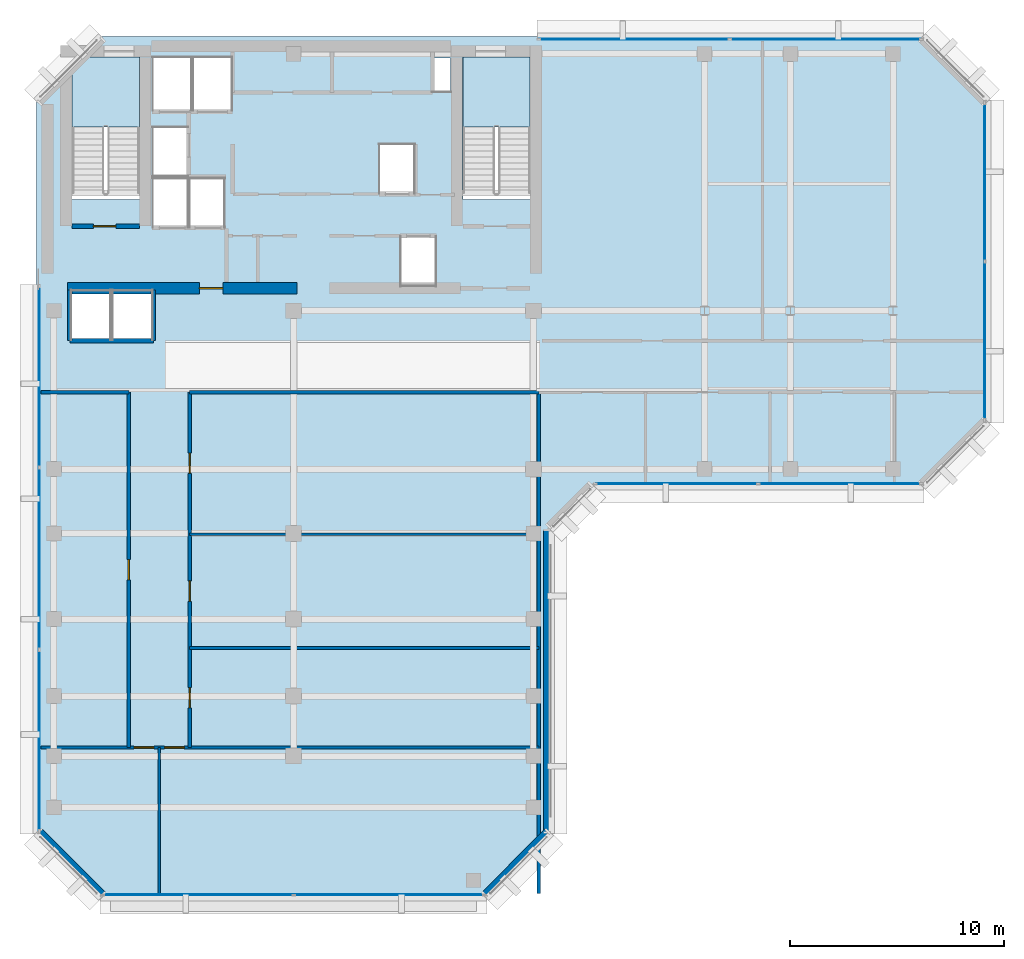
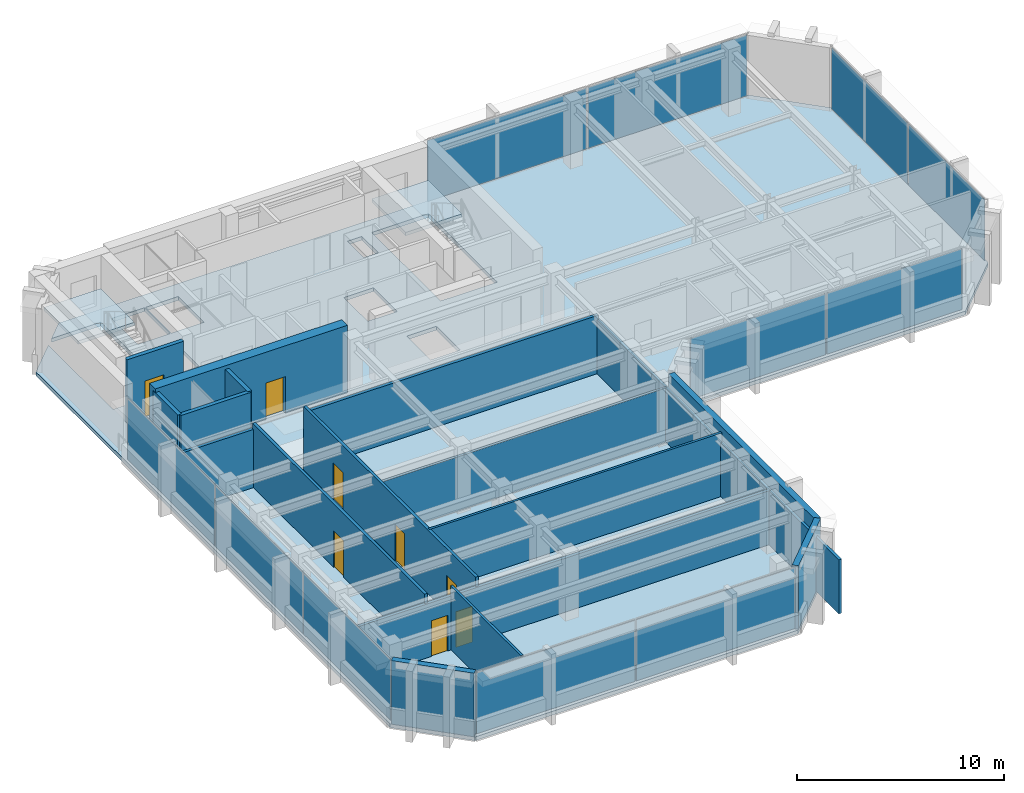
# One storey, part 6 of 11: 17 walls, 11 plates, 8 doors, 3 slabs, 8 openings, 7 elements without a shape of their own.
"""IFC4 building model written with IfcOpenShell, lengths in metres."""

from ifc_helpers import new_model, si_unit, direction, frame, frame_2d, origin, origin_2d, place, context, subcontext, project, spatial, polyline, rectangle, outline, extrude, material, layer, layer_set, type_object, element, fill, aggregate, save


model = new_model("IFC4")

# Units and contexts
model_context = context("Model", 3, precision=1e-05, world=origin(), true_north=direction((0.0, 1.0)))
body_context = subcontext(model_context, "Body", "Model", "MODEL_VIEW")
ifc_project = project(units=[si_unit("LENGTHUNIT", "METRE"), si_unit("AREAUNIT", "SQUARE_METRE"), si_unit("VOLUMEUNIT", "CUBIC_METRE"), si_unit("PLANEANGLEUNIT", "RADIAN"), si_unit("MASSUNIT", "GRAM", prefix="KILO")], contexts=[model_context])

# Site, building, storey
site_placement = place(None, origin())
site = spatial("IfcSite", under=ifc_project, at=site_placement, CompositionType="ELEMENT")
building_placement = place(site_placement, origin())
building = spatial("IfcBuilding", under=site, at=building_placement, Name="Kefirva Bronze Tower", CompositionType="ELEMENT")
storey_placement = place(building_placement, frame((0.0, 0.0, 284.1298828125)))
storey = spatial("IfcBuildingStorey", under=building, at=storey_placement, Name="L69", CompositionType="ELEMENT", Elevation=284.1298828125)

# Stair, slab
ifc_material_1 = material(Name="Concrete C40/50", Category="concrete")
stair_type = type_object("IfcStairType", Name="RC Dogleg Protected Stair 24R", PredefinedType="HALF_TURN_STAIR", material=ifc_material_1)
stair_1_placement = place(storey_placement, origin())
stair_1 = element("IfcStair", 1, at=stair_1_placement, inside=storey, type_object=stair_type, Name="L69 Protected Exit Stair 1", PredefinedType="HALF_TURN_STAIR")
ifc_layer_1 = layer(ifc_material_1, 0.199951171875, Name="Concrete C40/50")
ifc_layer_set_1 = layer_set([ifc_layer_1], Name="Concrete C40/50")
slab_type_1 = type_object("IfcSlabType", Name="RC Stair Landing Slab 200mm", PredefinedType="LANDING", material=ifc_layer_set_1)
slab_1_placement = place(storey_placement, frame((0.0, 0.0, 1.780029296875)))
slab_1 = element("IfcSlab", 2, at=slab_1_placement, type_object=slab_type_1, Name="ST-1 landing 1", PredefinedType="LANDING", context=body_context, shape_type="SweptSolid", body=[
    extrude(outline(polyline([(4.800048828125, 41.780029296875), (4.800048828125, 45.050048828125), (1.64990234375, 45.050048828125), (1.64990234375, 41.780029296875), (4.800048828125, 41.780029296875)])), origin(), (0.0, 0.0, 1.0), 0.2001953125),
])
aggregate(stair_1, [slab_1])

stair_2_placement = place(storey_placement, origin())
stair_2 = element("IfcStair", 3, at=stair_2_placement, inside=storey, type_object=stair_type, Name="L69 Protected Exit Stair 2", PredefinedType="HALF_TURN_STAIR")
slab_2_placement = place(storey_placement, frame((0.0, 0.0, 1.780029296875)))
slab_2 = element("IfcSlab", 4, at=slab_2_placement, type_object=slab_type_1, Name="ST-2 landing 1", PredefinedType="LANDING", context=body_context, shape_type="SweptSolid", body=[
    extrude(outline(polyline([(23.050048828125, 41.780029296875), (23.050048828125, 45.050048828125), (19.89990234375, 45.050048828125), (19.89990234375, 41.780029296875), (23.050048828125, 41.780029296875)])), origin(), (0.0, 0.0, 1.0), 0.2001953125),
])
aggregate(stair_2, [slab_2])

# Slab
ifc_layer_2 = layer(ifc_material_1, 0.219970703125, Name="Concrete C40/50")
ifc_layer_set_2 = layer_set([ifc_layer_2], Name="Concrete C40/50")
slab_type_2 = type_object("IfcSlabType", Name="RC Upper Floor Slab 220mm", PredefinedType="FLOOR", material=ifc_layer_set_2)
slab_3_placement = place(storey_placement, frame((0.0, 0.0, -0.219970703125)))
element("IfcSlab", 5, at=slab_3_placement, inside=storey, type_object=slab_type_2, Name="L69 Structural Floor Slab", PredefinedType="FLOOR", context=body_context, shape_type="SweptSolid", body=[
    extrude(outline(polyline([(0.0, 8.800048828125), (0.0, 43.0), (1.64990234375, 44.64990234375), (1.64990234375, 38.39990234375), (4.800048828125, 38.39990234375), (4.800048828125, 45.050048828125), (2.050048828125, 45.050048828125), (3.0, 46.0), (41.39990234375, 46.0), (44.39990234375, 43.0), (44.39990234375, 28.0), (41.39990234375, 25.0), (26.0, 25.0), (24.0, 23.0), (24.0, 8.800048828125), (21.0, 5.800048828125), (3.0, 5.800048828125), (0.0, 8.800048828125)]), holes=[polyline([(23.050048828125, 45.050048828125), (19.89990234375, 45.050048828125), (19.89990234375, 38.39990234375), (23.050048828125, 38.39990234375), (23.050048828125, 45.050048828125)]), polyline([(19.320068359375, 43.419921875), (19.320068359375, 45.0), (18.52001953125, 45.0), (18.52001953125, 43.419921875), (19.320068359375, 43.419921875)]), polyline([(18.64990234375, 36.64990234375), (17.0, 36.64990234375), (17.0, 34.35009765625), (18.64990234375, 34.35009765625), (18.64990234375, 36.64990234375)]), polyline([(17.64990234375, 38.679931640625), (17.64990234375, 40.97998046875), (16.0, 40.97998046875), (16.0, 38.679931640625), (17.64990234375, 38.679931640625)]), polyline([(9.1201171875, 42.550048828125), (9.1201171875, 45.050048828125), (7.300048828125, 45.050048828125), (7.300048828125, 42.550048828125), (9.1201171875, 42.550048828125)]), polyline([(8.780029296875, 37.10009765625), (8.780029296875, 39.39990234375), (7.139892578125, 39.39990234375), (7.139892578125, 37.10009765625), (8.780029296875, 37.10009765625)]), polyline([(7.239990234375, 42.550048828125), (7.239990234375, 45.050048828125), (5.419921875, 45.050048828125), (5.419921875, 42.550048828125), (7.239990234375, 42.550048828125)]), polyline([(7.06005859375, 37.10009765625), (7.06005859375, 39.39990234375), (5.419921875, 39.39990234375), (5.419921875, 37.10009765625), (7.06005859375, 37.10009765625)]), polyline([(7.06005859375, 41.780029296875), (5.419921875, 41.780029296875), (5.419921875, 39.47998046875), (7.06005859375, 39.47998046875), (7.06005859375, 41.780029296875)]), polyline([(5.39990234375, 31.85009765625), (5.39990234375, 34.14990234375), (3.550048828125, 34.14990234375), (3.550048828125, 31.85009765625), (5.39990234375, 31.85009765625)]), polyline([(3.449951171875, 34.14990234375), (1.60009765625, 34.14990234375), (1.60009765625, 31.85009765625), (3.449951171875, 31.85009765625), (3.449951171875, 34.14990234375)])]), origin(), (0.0, 0.0, 1.0), 0.219970703125),
])

# Curtain wall, plates
ifc_material_2 = material(Name="Bronze anodised aluminium", Category="aluminium")
ifc_layer_3 = layer(ifc_material_2, 0.179931640625, Name="Bronze anodised aluminium")
ifc_layer_set_3 = layer_set([ifc_layer_3], Name="Bronze anodised aluminium")
curtain_wall_type = type_object("IfcCurtainWallType", Name="Unitised Bronze Ribbon Curtain Wall Zone 4", PredefinedType="USERDEFINED", material=ifc_layer_set_3)
curtain_wall_1_placement = place(storey_placement, origin())
curtain_wall_1 = element("IfcCurtainWall", 6, at=curtain_wall_1_placement, inside=storey, type_object=curtain_wall_type, Name="L69 Curtain Wall 1", ObjectType="UNITISED CURTAIN WALL", PredefinedType="USERDEFINED")
ifc_material_3 = material(Name="Laminated low-E double glazing", Category="glass")
ifc_layer_4 = layer(ifc_material_3, 0.031982421875, Name="Laminated low-E double glazing")
ifc_layer_set_4 = layer_set([ifc_layer_4], Name="Laminated low-E double glazing")
plate_type = type_object("IfcPlateType", Name="Solar-Control Low-E Vision Panel 32mm", PredefinedType="CURTAIN_PANEL", material=ifc_layer_set_4)
plate_1_placement = place(storey_placement, frame((7.546142578125, 5.919921875, 0.0751953125), z_axis=(0.0, 0.0, 1.0), x_axis=(1.0, 0.0, 0.0)))
plate_1 = element("IfcPlate", 7, at=plate_1_placement, type_object=plate_type, Name="CW-04 panel 1.1", PredefinedType="CURTAIN_PANEL", context=body_context, shape_type="SweptSolid", body=[
    extrude(rectangle(XDim=8.83251953125, YDim=0.031982421875, at=origin_2d()), origin(), (0.0, 0.0, 1.0), 3.590087890625),
])
plate_2_placement = place(storey_placement, frame((16.453857421875, 5.919921875, 0.0751953125), z_axis=(0.0, 0.0, 1.0), x_axis=(1.0, 0.0, 0.0)))
plate_2 = element("IfcPlate", 8, at=plate_2_placement, type_object=plate_type, Name="CW-04 panel 2.1", PredefinedType="CURTAIN_PANEL", context=body_context, shape_type="SweptSolid", body=[
    extrude(rectangle(XDim=8.83251953125, YDim=0.031982421875, at=origin_2d()), origin(), (0.0, 0.0, 1.0), 3.590087890625),
])
aggregate(curtain_wall_1, [plate_1, plate_2])

curtain_wall_2_placement = place(storey_placement, origin())
curtain_wall_2 = element("IfcCurtainWall", 9, at=curtain_wall_2_placement, inside=storey, type_object=curtain_wall_type, Name="L69 Curtain Wall 2", ObjectType="UNITISED CURTAIN WALL", PredefinedType="USERDEFINED")
plate_3_placement = place(storey_placement, frame((29.896240234375, 25.1201171875, 0.0751953125), z_axis=(0.0, 0.0, 1.0), x_axis=(1.0, 0.0, 0.0)))
plate_3 = element("IfcPlate", 10, at=plate_3_placement, type_object=plate_type, Name="CW-04 panel 1.1", PredefinedType="CURTAIN_PANEL", context=body_context, shape_type="SweptSolid", body=[
    extrude(rectangle(XDim=7.532470703125, YDim=0.031982421875, at=origin_2d()), origin(), (0.0, 0.0, 1.0), 3.590087890625),
])
plate_4_placement = place(storey_placement, frame((37.503662109375, 25.1201171875, 0.0751953125), z_axis=(0.0, 0.0, 1.0), x_axis=(1.0, 0.0, 0.0)))
plate_4 = element("IfcPlate", 11, at=plate_4_placement, type_object=plate_type, Name="CW-04 panel 2.1", PredefinedType="CURTAIN_PANEL", context=body_context, shape_type="SweptSolid", body=[
    extrude(rectangle(XDim=7.532470703125, YDim=0.031982421875, at=origin_2d()), origin(), (0.0, 0.0, 1.0), 3.590087890625),
])
aggregate(curtain_wall_2, [plate_3, plate_4])

curtain_wall_3_placement = place(storey_placement, origin())
curtain_wall_3 = element("IfcCurtainWall", 12, at=curtain_wall_3_placement, inside=storey, type_object=curtain_wall_type, Name="L69 Curtain Wall 3", ObjectType="UNITISED CURTAIN WALL", PredefinedType="USERDEFINED")
plate_5_placement = place(storey_placement, frame((44.280029296875, 31.796142578125, 0.0751953125), z_axis=(0.0, 0.0, 1.0), x_axis=(0.0, 1.0, 0.0)))
plate_5 = element("IfcPlate", 13, at=plate_5_placement, type_object=plate_type, Name="CW-04 panel 1.1", PredefinedType="CURTAIN_PANEL", context=body_context, shape_type="SweptSolid", body=[
    extrude(rectangle(XDim=7.33251953125, YDim=0.031982421875, at=origin_2d()), origin(), (0.0, 0.0, 1.0), 3.590087890625),
])
plate_6_placement = place(storey_placement, frame((44.280029296875, 39.203857421875, 0.0751953125), z_axis=(0.0, 0.0, 1.0), x_axis=(0.0, 1.0, 0.0)))
plate_6 = element("IfcPlate", 14, at=plate_6_placement, type_object=plate_type, Name="CW-04 panel 2.1", PredefinedType="CURTAIN_PANEL", context=body_context, shape_type="SweptSolid", body=[
    extrude(rectangle(XDim=7.33251953125, YDim=0.031982421875, at=origin_2d()), origin(), (0.0, 0.0, 1.0), 3.590087890625),
])
aggregate(curtain_wall_3, [plate_5, plate_6])

curtain_wall_4_placement = place(storey_placement, origin())
curtain_wall_4 = element("IfcCurtainWall", 15, at=curtain_wall_4_placement, inside=storey, type_object=curtain_wall_type, Name="L69 Curtain Wall 4", ObjectType="UNITISED CURTAIN WALL", PredefinedType="USERDEFINED")
plate_7_placement = place(storey_placement, frame((36.84130859375, 45.8798828125, 0.0751953125), z_axis=(0.0, 0.0, 1.0), x_axis=(-1.0, 0.0, 0.0)))
plate_7 = element("IfcPlate", 16, at=plate_7_placement, type_object=plate_type, Name="CW-04 panel 1.1", PredefinedType="CURTAIN_PANEL", context=body_context, shape_type="SweptSolid", body=[
    extrude(rectangle(XDim=8.857421875, YDim=0.031982421875, at=origin_2d()), origin(), (0.0, 0.0, 1.0), 3.590087890625),
])
plate_8_placement = place(storey_placement, frame((27.90869140625, 45.8798828125, 0.0751953125), z_axis=(0.0, 0.0, 1.0), x_axis=(-1.0, 0.0, 0.0)))
plate_8 = element("IfcPlate", 17, at=plate_8_placement, type_object=plate_type, Name="CW-04 panel 2.1", PredefinedType="CURTAIN_PANEL", context=body_context, shape_type="SweptSolid", body=[
    extrude(rectangle(XDim=8.857421875, YDim=0.031982421875, at=origin_2d()), origin(), (0.0, 0.0, 1.0), 3.590087890625),
])
aggregate(curtain_wall_4, [plate_7, plate_8])

curtain_wall_5_placement = place(storey_placement, origin())
curtain_wall_5 = element("IfcCurtainWall", 18, at=curtain_wall_5_placement, inside=storey, type_object=curtain_wall_type, Name="L69 Curtain Wall 5", ObjectType="UNITISED CURTAIN WALL", PredefinedType="USERDEFINED")
plate_9_placement = place(storey_placement, frame((0.1201171875, 30.11962890625, 0.0751953125), z_axis=(0.0, 0.0, 1.0), x_axis=(0.0, -1.0, 0.0)))
plate_9 = element("IfcPlate", 19, at=plate_9_placement, type_object=plate_type, Name="CW-04 panel 1.1", PredefinedType="CURTAIN_PANEL", context=body_context, shape_type="SweptSolid", body=[
    extrude(rectangle(XDim=8.40087890625, YDim=0.031982421875, at=origin_2d()), origin(), (0.0, 0.0, 1.0), 3.590087890625),
])
plate_10_placement = place(storey_placement, frame((0.1201171875, 21.625, 0.0751953125), z_axis=(0.0, 0.0, 1.0), x_axis=(0.0, -1.0, 0.0)))
plate_10 = element("IfcPlate", 20, at=plate_10_placement, type_object=plate_type, Name="CW-04 panel 2.1", PredefinedType="CURTAIN_PANEL", context=body_context, shape_type="SweptSolid", body=[
    extrude(rectangle(XDim=8.438232421875, YDim=0.031982421875, at=origin_2d()), origin(), (0.0, 0.0, 1.0), 3.590087890625),
])
plate_11_placement = place(storey_placement, frame((0.1201171875, 13.13037109375, 0.0751953125), z_axis=(0.0, 0.0, 1.0), x_axis=(0.0, -1.0, 0.0)))
plate_11 = element("IfcPlate", 21, at=plate_11_placement, type_object=plate_type, Name="CW-04 panel 3.1", PredefinedType="CURTAIN_PANEL", context=body_context, shape_type="SweptSolid", body=[
    extrude(rectangle(XDim=8.40087890625, YDim=0.031982421875, at=origin_2d()), origin(), (0.0, 0.0, 1.0), 3.590087890625),
])
aggregate(curtain_wall_5, [plate_9, plate_10, plate_11])

# Walls
ifc_material_4 = material(Name="Gypsum acoustic partition")
ifc_layer_5 = layer(ifc_material_4, 0.1298828125, Name="Gypsum acoustic partition")
ifc_layer_set_5 = layer_set([ifc_layer_5], Name="Gypsum acoustic partition")
wall_type_1 = type_object("IfcWallType", Name="Acoustic Office Partition 130mm", PredefinedType="PARTITIONING", material=ifc_layer_set_5)
wall_1_placement = place(storey_placement, frame((5.719970703125, 5.989990234375, 0.0), z_axis=(0.0, 0.0, 1.0), x_axis=(0.0, 1.0, 0.0)))
element("IfcWall", 22, at=wall_1_placement, inside=storey, type_object=wall_type_1, Name="L69 Partition W-L69-CAPDV", PredefinedType="PARTITIONING", context=body_context, shape_type="SweptSolid", body=[
    extrude(rectangle(XDim=6.81005859375, YDim=0.1298828125, at=frame_2d((3.405029296875, 0.0))), origin(), (0.0, 0.0, 1.0), 3.740234375),
])
wall_2_placement = place(storey_placement, frame((7.139892578125, 17.447998046875, 0.0), z_axis=(0.0, 0.0, 1.0), x_axis=(1.0, 0.0, 0.0)))
element("IfcWall", 23, at=wall_2_placement, inside=storey, type_object=wall_type_1, Name="L69 Partition W-L69-SED1", PredefinedType="PARTITIONING", context=body_context, shape_type="SweptSolid", body=[
    extrude(rectangle(XDim=16.31005859375, YDim=0.1298828125, at=frame_2d((8.155029296875, 0.0))), origin(), (0.0, 0.0, 1.0), 3.740234375),
])
wall_3_placement = place(storey_placement, frame((7.139892578125, 22.760009765625, 0.0), z_axis=(0.0, 0.0, 1.0), x_axis=(1.0, 0.0, 0.0)))
element("IfcWall", 24, at=wall_3_placement, inside=storey, type_object=wall_type_1, Name="L69 Partition W-L69-SED2", PredefinedType="PARTITIONING", context=body_context, shape_type="SweptSolid", body=[
    extrude(rectangle(XDim=16.31005859375, YDim=0.1298828125, at=frame_2d((8.155029296875, 0.0))), origin(), (0.0, 0.0, 1.0), 3.175048828125),
])

# Wall, opening, door
ifc_material_5 = material(Name="Gypsum fireboard shaftwall")
ifc_layer_6 = layer(ifc_material_5, 0.219970703125, Name="Gypsum fireboard shaftwall")
ifc_layer_set_6 = layer_set([ifc_layer_6], Name="Gypsum fireboard shaftwall")
wall_type_2 = type_object("IfcWallType", Name="Fire-Rated Shaft Enclosure Wall 220mm", PredefinedType="PARTITIONING", material=ifc_layer_set_6)
wall_4_placement = place(storey_placement, frame((1.64990234375, 37.14990234375, 0.0), z_axis=(0.0, 0.0, 1.0), x_axis=(1.0, 0.0, 0.0)))
wall_4 = element("IfcWall", 25, at=wall_4_placement, inside=storey, type_object=wall_type_2, Name="L69 Partition W-L69-ST1S", PredefinedType="PARTITIONING", context=body_context, shape_type="SweptSolid", body=[
    extrude(rectangle(XDim=3.150146484375, YDim=0.219970703125, at=frame_2d((1.5751953125, 0.0))), origin(), (0.0, 0.0, 1.0), 3.740234375),
])
opening_1_placement = place(wall_4_placement, frame((2.050048828125, 0.0, 0.0), z_axis=(0.0, 0.0, 1.0), x_axis=(-1.0, 0.0, 0.0)))
opening_1 = element("IfcOpeningElement", 26, at=opening_1_placement, cuts=wall_4, Name="Opening L69-D001", PredefinedType="OPENING", context=body_context, shape_type="SweptSolid", body=[
    extrude(rectangle(XDim=1.050048828125, YDim=2.14990234375, at=frame_2d((0.52490234375, 1.074951171875))), frame((0.0, 0.1201171875, 0.0), z_axis=(0.0, -1.0, 0.0), x_axis=(1.0, 0.0, 0.0)), (0.0, 0.0, 1.0), 0.239990234375),
])
ifc_material_6 = material(Name="Painted galvanized steel", Category="steel")
door_type_1 = type_object("IfcDoorType", Name="Fire Stair Enclosure Door 1050x2150 FD90S", OperationType="NOTDEFINED", PredefinedType="DOOR", material=ifc_material_6)
door_1_placement = place(opening_1_placement, origin())
door_1 = element("IfcDoor", 27, at=door_1_placement, inside=storey, type_object=door_type_1, Name="Door L69-D001", OperationType="SINGLE_SWING_LEFT", OverallHeight=2.14990234375, OverallWidth=1.050048828125, PredefinedType="DOOR", context=body_context, shape_type="SweptSolid", body=[
    extrude(rectangle(XDim=1.050048828125, YDim=2.14990234375, at=frame_2d((0.52490234375, 1.074951171875))), frame((0.0, 0.02490234375, 0.0), z_axis=(0.0, -1.0, 0.0), x_axis=(1.0, 0.0, 0.0)), (0.0, 0.0, 1.0), 0.050048828125),
])
fill(opening_1, door_1)

# Walls
wall_5_placement = place(storey_placement, frame((1.550048828125, 31.800048828125, 0.0), z_axis=(0.0, 0.0, 1.0), x_axis=(1.0, 0.0, 0.0)))
element("IfcWall", 28, at=wall_5_placement, inside=storey, type_object=wall_type_2, Name="L69 Partition W-L69-OBS", PredefinedType="PARTITIONING", context=body_context, shape_type="SweptSolid", body=[
    extrude(rectangle(XDim=3.89990234375, YDim=0.219970703125, at=frame_2d((1.949951171875, 0.0))), origin(), (0.0, 0.0, 1.0), 3.740234375),
])
for number, where, z_axis, x_axis, name in (
    (29, (1.550048828125, 31.800048828125, 0.0), (0.0, 0.0, 1.0), (0.0, 1.0, 0.0), "L69 Partition W-L69-OBW"),
    (30, (5.449951171875, 31.800048828125, 0.0), (0.0, 0.0, 1.0), (0.0, 1.0, 0.0), "L69 Partition W-L69-OBE"),
):
    element("IfcWall", number, at=place(storey_placement, frame(where, z_axis=z_axis, x_axis=x_axis)), inside=storey, type_object=wall_type_2, Name=name, PredefinedType="PARTITIONING", context=body_context, shape_type="SweptSolid", body=[
        extrude(rectangle(XDim=2.3798828125, YDim=0.219970703125, at=frame_2d((1.18994140625, 0.0))), origin(), (0.0, 0.0, 1.0), 3.740234375),
    ])
ifc_material_7 = material(Name="Precast concrete C40/50", Category="concrete")
ifc_layer_7 = layer(ifc_material_7, 0.320068359375, Name="Precast concrete C40/50")
ifc_layer_set_7 = layer_set([ifc_layer_7], Name="Precast concrete C40/50")
wall_type_3 = type_object("IfcWallType", Name="Precast Insulated Exterior Wall 320mm", PredefinedType="SOLIDWALL", material=ifc_layer_set_7)
wall_6_placement = place(storey_placement, frame((20.92578125, 5.951904296875, 0.0), z_axis=(0.0, 0.0, 1.0), x_axis=(0.707077242712, 0.707136318428, 0.0)))
element("IfcWall", 31, at=wall_6_placement, inside=storey, type_object=wall_type_3, Name="L69 Exterior Facade Wall 1", PredefinedType="SOLIDWALL", context=body_context, shape_type="SweptSolid", body=[
    extrude(rectangle(XDim=4.132568359375, YDim=0.320068359375, at=frame_2d((2.06640625, 0.0))), origin(), (0.0, 0.0, 1.0), 3.740234375),
])
wall_7_placement = place(storey_placement, frame((23.840087890625, 8.85498046875, 0.0), z_axis=(0.0, 0.0, 1.0), x_axis=(0.0, 1.0, 0.0)))
element("IfcWall", 32, at=wall_7_placement, inside=storey, type_object=wall_type_3, Name="L69 Exterior Facade Wall 2", PredefinedType="SOLIDWALL", context=body_context, shape_type="SweptSolid", body=[
    extrude(rectangle(XDim=14.090087890625, YDim=0.320068359375, at=frame_2d((7.044921875, 0.0))), origin(), (0.0, 0.0, 1.0), 3.740234375),
])
wall_8_placement = place(storey_placement, frame((0.152099609375, 8.874267578125, 0.0), z_axis=(0.0, 0.0, 1.0), x_axis=(0.707077242712, -0.707136318428, 0.0)))
element("IfcWall", 33, at=wall_8_placement, inside=storey, type_object=wall_type_3, Name="L69 Exterior Facade Wall 7", PredefinedType="SOLIDWALL", context=body_context, shape_type="SweptSolid", body=[
    extrude(rectangle(XDim=4.132568359375, YDim=0.320068359375, at=frame_2d((2.06640625, 0.0))), origin(), (0.0, 0.0, 1.0), 3.740234375),
])

# Wall, opening, door
ifc_layer_8 = layer(ifc_material_4, 0.159912109375, Name="Gypsum acoustic partition")
ifc_layer_set_8 = layer_set([ifc_layer_8], Name="Gypsum acoustic partition")
wall_type_4 = type_object("IfcWallType", Name="Protected Corridor Partition 160mm", PredefinedType="PARTITIONING", material=ifc_layer_set_8)
wall_9_placement = place(storey_placement, frame((4.300048828125, 12.800048828125, 0.0), z_axis=(0.0, 0.0, 1.0), x_axis=(0.0, 1.0, 0.0)))
wall_9 = element("IfcWall", 34, at=wall_9_placement, inside=storey, type_object=wall_type_4, Name="L69 Partition W-L69-SWCORW", PredefinedType="PARTITIONING", context=body_context, shape_type="SweptSolid", body=[
    extrude(rectangle(XDim=16.599853515625, YDim=0.159912109375, at=frame_2d((8.2998046875, 0.0))), origin(), (0.0, 0.0, 1.0), 3.740234375),
])
opening_2_placement = place(wall_9_placement, frame((8.77490234375, 0.0, 0.0), z_axis=(0.0, 0.0, 1.0), x_axis=(-1.0, 0.0, 0.0)))
opening_2 = element("IfcOpeningElement", 35, at=opening_2_placement, cuts=wall_9, Name="Opening L69-D-SW1", PredefinedType="OPENING", context=body_context, shape_type="SweptSolid", body=[
    extrude(rectangle(XDim=0.949951171875, YDim=2.14990234375, at=frame_2d((0.47509765625, 1.074951171875))), frame((0.0, 0.08984375, 0.0), z_axis=(0.0, -1.0, 0.0), x_axis=(1.0, 0.0, 0.0)), (0.0, 0.0, 1.0), 0.179931640625),
])
ifc_material_8 = material(Name="Acoustic hardwood oak", Category="wood")
door_type_2 = type_object("IfcDoorType", Name="Office & Meeting Room Door 950x2150", OperationType="NOTDEFINED", PredefinedType="DOOR", material=ifc_material_8)
door_2_placement = place(opening_2_placement, origin())
door_2 = element("IfcDoor", 36, at=door_2_placement, inside=storey, type_object=door_type_2, Name="Door L69-D-SW1", OperationType="SINGLE_SWING_LEFT", OverallHeight=2.14990234375, OverallWidth=0.949951171875, PredefinedType="DOOR", context=body_context, shape_type="SweptSolid", body=[
    extrude(rectangle(XDim=0.949951171875, YDim=2.14990234375, at=frame_2d((0.47509765625, 1.074951171875))), frame((0.0, 0.02490234375, 0.0), z_axis=(0.0, -1.0, 0.0), x_axis=(1.0, 0.0, 0.0)), (0.0, 0.0, 1.0), 0.050048828125),
])
fill(opening_2, door_2)

# Wall, openings, doors
wall_10_placement = place(storey_placement, frame((7.139892578125, 12.800048828125, 0.0), z_axis=(0.0, 0.0, 1.0), x_axis=(0.0, 1.0, 0.0)))
wall_10 = element("IfcWall", 37, at=wall_10_placement, inside=storey, type_object=wall_type_4, Name="L69 Partition W-L69-SECORE", PredefinedType="PARTITIONING", context=body_context, shape_type="SweptSolid", body=[
    extrude(rectangle(XDim=16.599853515625, YDim=0.159912109375, at=frame_2d((8.2998046875, 0.0))), origin(), (0.0, 0.0, 1.0), 3.740234375),
])
opening_3_placement = place(wall_10_placement, frame((1.84912109375, 0.0, 0.0)))
opening_3 = element("IfcOpeningElement", 38, at=opening_3_placement, cuts=wall_10, Name="Opening L69-D-SE1", PredefinedType="OPENING", context=body_context, shape_type="SweptSolid", body=[
    extrude(rectangle(XDim=0.949951171875, YDim=2.14990234375, at=frame_2d((0.47509765625, 1.074951171875))), frame((0.0, 0.08984375, 0.0), z_axis=(0.0, -1.0, 0.0), x_axis=(1.0, 0.0, 0.0)), (0.0, 0.0, 1.0), 0.179931640625),
])
opening_4_placement = place(wall_10_placement, frame((6.8291015625, 0.0, 0.0)))
opening_4 = element("IfcOpeningElement", 39, at=opening_4_placement, cuts=wall_10, Name="Opening L69-D-SE2", PredefinedType="OPENING", context=body_context, shape_type="SweptSolid", body=[
    extrude(rectangle(XDim=0.949951171875, YDim=2.14990234375, at=frame_2d((0.47509765625, 1.074951171875))), frame((0.0, 0.08984375, 0.0), z_axis=(0.0, -1.0, 0.0), x_axis=(1.0, 0.0, 0.0)), (0.0, 0.0, 1.0), 0.179931640625),
])
opening_5_placement = place(wall_10_placement, frame((12.804931640625, 0.0, 0.0)))
opening_5 = element("IfcOpeningElement", 40, at=opening_5_placement, cuts=wall_10, Name="Opening L69-D-SE3", PredefinedType="OPENING", context=body_context, shape_type="SweptSolid", body=[
    extrude(rectangle(XDim=0.949951171875, YDim=2.14990234375, at=frame_2d((0.47509765625, 1.074951171875))), frame((0.0, 0.08984375, 0.0), z_axis=(0.0, -1.0, 0.0), x_axis=(1.0, 0.0, 0.0)), (0.0, 0.0, 1.0), 0.179931640625),
])
door_3_placement = place(opening_3_placement, origin())
door_3 = element("IfcDoor", 41, at=door_3_placement, inside=storey, type_object=door_type_2, Name="Door L69-D-SE1", OperationType="SINGLE_SWING_RIGHT", OverallHeight=2.14990234375, OverallWidth=0.949951171875, PredefinedType="DOOR", context=body_context, shape_type="SweptSolid", body=[
    extrude(rectangle(XDim=0.949951171875, YDim=2.14990234375, at=frame_2d((0.47509765625, 1.074951171875))), frame((0.0, 0.02490234375, 0.0), z_axis=(0.0, -1.0, 0.0), x_axis=(1.0, 0.0, 0.0)), (0.0, 0.0, 1.0), 0.050048828125),
])
fill(opening_3, door_3)
door_4_placement = place(opening_4_placement, origin())
door_4 = element("IfcDoor", 42, at=door_4_placement, inside=storey, type_object=door_type_2, Name="Door L69-D-SE2", OperationType="SINGLE_SWING_LEFT", OverallHeight=2.14990234375, OverallWidth=0.949951171875, PredefinedType="DOOR", context=body_context, shape_type="SweptSolid", body=[
    extrude(rectangle(XDim=0.949951171875, YDim=2.14990234375, at=frame_2d((0.47509765625, 1.074951171875))), frame((0.0, 0.02490234375, 0.0), z_axis=(0.0, -1.0, 0.0), x_axis=(1.0, 0.0, 0.0)), (0.0, 0.0, 1.0), 0.050048828125),
])
fill(opening_4, door_4)
door_5_placement = place(opening_5_placement, origin())
door_5 = element("IfcDoor", 43, at=door_5_placement, inside=storey, type_object=door_type_2, Name="Door L69-D-SE3", OperationType="SINGLE_SWING_RIGHT", OverallHeight=2.14990234375, OverallWidth=0.949951171875, PredefinedType="DOOR", context=body_context, shape_type="SweptSolid", body=[
    extrude(rectangle(XDim=0.949951171875, YDim=2.14990234375, at=frame_2d((0.47509765625, 1.074951171875))), frame((0.0, 0.02490234375, 0.0), z_axis=(0.0, -1.0, 0.0), x_axis=(1.0, 0.0, 0.0)), (0.0, 0.0, 1.0), 0.050048828125),
])
fill(opening_5, door_5)

wall_11_placement = place(storey_placement, frame((0.18994140625, 12.800048828125, 0.0), z_axis=(0.0, 0.0, 1.0), x_axis=(1.0, 0.0, 0.0)))
wall_11 = element("IfcWall", 44, at=wall_11_placement, inside=storey, type_object=wall_type_4, Name="L69 Partition W-L69-SBEND", PredefinedType="PARTITIONING", context=body_context, shape_type="SweptSolid", body=[
    extrude(rectangle(XDim=23.260009765625, YDim=0.159912109375, at=frame_2d((11.6298828125, 0.0))), origin(), (0.0, 0.0, 1.0), 3.175048828125),
])
opening_6_placement = place(wall_11_placement, frame((4.360107421875, 0.0, 0.0)))
opening_6 = element("IfcOpeningElement", 45, at=opening_6_placement, cuts=wall_11, Name="Opening L69-D-SEND1", PredefinedType="OPENING", context=body_context, shape_type="SweptSolid", body=[
    extrude(rectangle(XDim=0.919921875, YDim=2.10009765625, at=frame_2d((0.4599609375, 1.050048828125))), frame((0.0, 0.08984375, 0.0), z_axis=(0.0, -1.0, 0.0), x_axis=(1.0, 0.0, 0.0)), (0.0, 0.0, 1.0), 0.179931640625),
])
opening_7_placement = place(wall_11_placement, frame((5.780029296875, 0.0, 0.0)))
opening_7 = element("IfcOpeningElement", 46, at=opening_7_placement, cuts=wall_11, Name="Opening L69-D-SEND2", PredefinedType="OPENING", context=body_context, shape_type="SweptSolid", body=[
    extrude(rectangle(XDim=0.919921875, YDim=2.10009765625, at=frame_2d((0.4599609375, 1.050048828125))), frame((0.0, 0.08984375, 0.0), z_axis=(0.0, -1.0, 0.0), x_axis=(1.0, 0.0, 0.0)), (0.0, 0.0, 1.0), 0.179931640625),
])
ifc_material_9 = material(Name="Moisture-resistant timber", Category="wood")
door_type_3 = type_object("IfcDoorType", Name="Accessible Sanitary & WC Door 920x2100", OperationType="NOTDEFINED", PredefinedType="DOOR", material=ifc_material_9)
door_6_placement = place(opening_6_placement, origin())
door_6 = element("IfcDoor", 47, at=door_6_placement, inside=storey, type_object=door_type_3, Name="Door L69-D-SEND1", OperationType="SINGLE_SWING_LEFT", OverallHeight=2.10009765625, OverallWidth=0.919921875, PredefinedType="DOOR", context=body_context, shape_type="SweptSolid", body=[
    extrude(rectangle(XDim=0.919921875, YDim=2.10009765625, at=frame_2d((0.4599609375, 1.050048828125))), frame((0.0, 0.02490234375, 0.0), z_axis=(0.0, -1.0, 0.0), x_axis=(1.0, 0.0, 0.0)), (0.0, 0.0, 1.0), 0.050048828125),
])
fill(opening_6, door_6)
door_7_placement = place(opening_7_placement, origin())
door_7 = element("IfcDoor", 48, at=door_7_placement, inside=storey, type_object=door_type_3, Name="Door L69-D-SEND2", OperationType="SINGLE_SWING_RIGHT", OverallHeight=2.10009765625, OverallWidth=0.919921875, PredefinedType="DOOR", context=body_context, shape_type="SweptSolid", body=[
    extrude(rectangle(XDim=0.919921875, YDim=2.10009765625, at=frame_2d((0.4599609375, 1.050048828125))), frame((0.0, 0.02490234375, 0.0), z_axis=(0.0, -1.0, 0.0), x_axis=(1.0, 0.0, 0.0)), (0.0, 0.0, 1.0), 0.050048828125),
])
fill(opening_7, door_7)

# Walls
wall_12_placement = place(storey_placement, frame((0.18994140625, 29.39990234375, 0.0), z_axis=(0.0, 0.0, 1.0), x_axis=(1.0, 0.0, 0.0)))
element("IfcWall", 49, at=wall_12_placement, inside=storey, type_object=wall_type_4, Name="L69 Partition W-L69-NWT", PredefinedType="PARTITIONING", context=body_context, shape_type="SweptSolid", body=[
    extrude(rectangle(XDim=4.110107421875, YDim=0.159912109375, at=frame_2d((2.05517578125, 0.0))), origin(), (0.0, 0.0, 1.0), 3.425048828125),
])
wall_13_placement = place(storey_placement, frame((7.139892578125, 29.39990234375, 0.0), z_axis=(0.0, 0.0, 1.0), x_axis=(1.0, 0.0, 0.0)))
element("IfcWall", 50, at=wall_13_placement, inside=storey, type_object=wall_type_4, Name="L69 Partition W-L69-NET", PredefinedType="PARTITIONING", context=body_context, shape_type="SweptSolid", body=[
    extrude(rectangle(XDim=16.31005859375, YDim=0.159912109375, at=frame_2d((8.155029296875, 0.0))), origin(), (0.0, 0.0, 1.0), 3.425048828125),
])
wall_14_placement = place(storey_placement, frame((23.449951171875, 5.989990234375, 0.0), z_axis=(0.0, 0.0, 1.0), x_axis=(0.0, 1.0, 0.0)))
element("IfcWall", 51, at=wall_14_placement, inside=storey, type_object=wall_type_4, Name="L69 Partition W-L69-SWEAST", PredefinedType="PARTITIONING", context=body_context, shape_type="SweptSolid", body=[
    extrude(rectangle(XDim=23.409912109375, YDim=0.159912109375, at=frame_2d((11.705078125, 0.0))), origin(), (0.0, 0.0, 1.0), 3.175048828125),
])

# Wall, opening, door
ifc_material_10 = material(Name="Concrete C50/60", Category="concrete")
ifc_layer_9 = layer(ifc_material_10, 0.550048828125, Name="Concrete C50/60")
ifc_layer_set_9 = layer_set([ifc_layer_9], Name="Concrete C50/60")
wall_type_5 = type_object("IfcWallType", Name="RC Rear Core Interior Wall 550mm", PredefinedType="SHEAR", material=ifc_layer_set_9)
wall_15_placement = place(storey_placement, frame((1.449951171875, 34.25, 0.0), z_axis=(0.0, 0.0, 1.0), x_axis=(1.0, 0.0, 0.0)))
wall_15 = element("IfcWall", 52, at=wall_15_placement, inside=storey, type_object=wall_type_5, Name="L69 Rear Core South-West Shear Wall", PredefinedType="SHEAR", context=body_context, shape_type="SweptSolid", body=[
    extrude(rectangle(XDim=10.7099609375, YDim=0.550048828125, at=frame_2d((5.35498046875, 0.0))), origin(), (0.0, 0.0, 1.0), 3.960205078125),
])
opening_8_placement = place(wall_15_placement, frame((7.25, 0.0, 0.0), z_axis=(0.0, 0.0, 1.0), x_axis=(-1.0, 0.0, 0.0)))
opening_8 = element("IfcOpeningElement", 53, at=opening_8_placement, cuts=wall_15, Name="Opening L69-D002", PredefinedType="OPENING", context=body_context, shape_type="SweptSolid", body=[
    extrude(rectangle(XDim=1.10009765625, YDim=2.14990234375, at=frame_2d((0.550048828125, 1.074951171875))), frame((0.0, 0.28515625, 0.0), z_axis=(0.0, -1.0, 0.0), x_axis=(1.0, 0.0, 0.0)), (0.0, 0.0, 1.0), 0.570068359375),
])
door_type_4 = type_object("IfcDoorType", Name="Firefighting Lobby Smoke Door 1100x2150 FD60S", OperationType="NOTDEFINED", PredefinedType="DOOR", material=ifc_material_6)
door_8_placement = place(opening_8_placement, origin())
door_8 = element("IfcDoor", 54, at=door_8_placement, inside=storey, type_object=door_type_4, Name="Door L69-D002", OperationType="SINGLE_SWING_RIGHT", OverallHeight=2.14990234375, OverallWidth=1.10009765625, PredefinedType="DOOR", context=body_context, shape_type="SweptSolid", body=[
    extrude(rectangle(XDim=1.10009765625, YDim=2.14990234375, at=frame_2d((0.550048828125, 1.074951171875))), frame((0.0, 0.02490234375, 0.0), z_axis=(0.0, -1.0, 0.0), x_axis=(1.0, 0.0, 0.0)), (0.0, 0.0, 1.0), 0.050048828125),
])
fill(opening_8, door_8)

save(model, "model.ifc")
